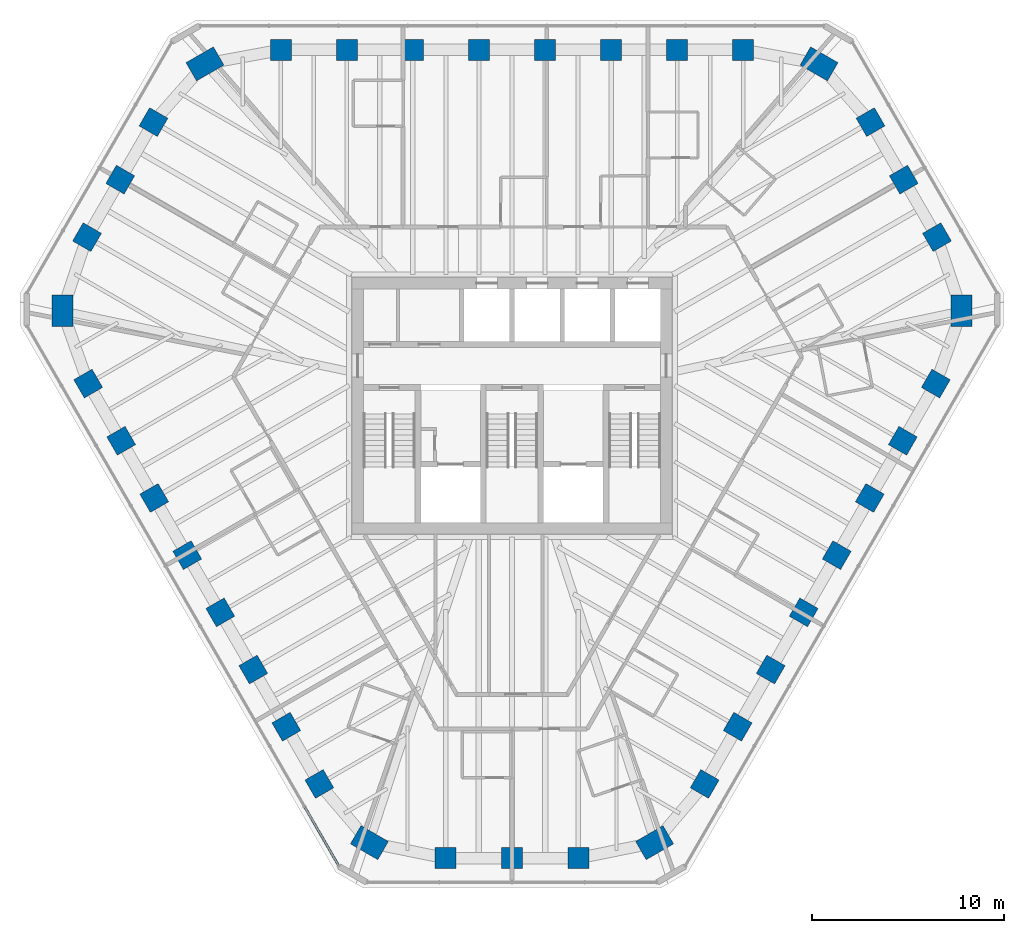
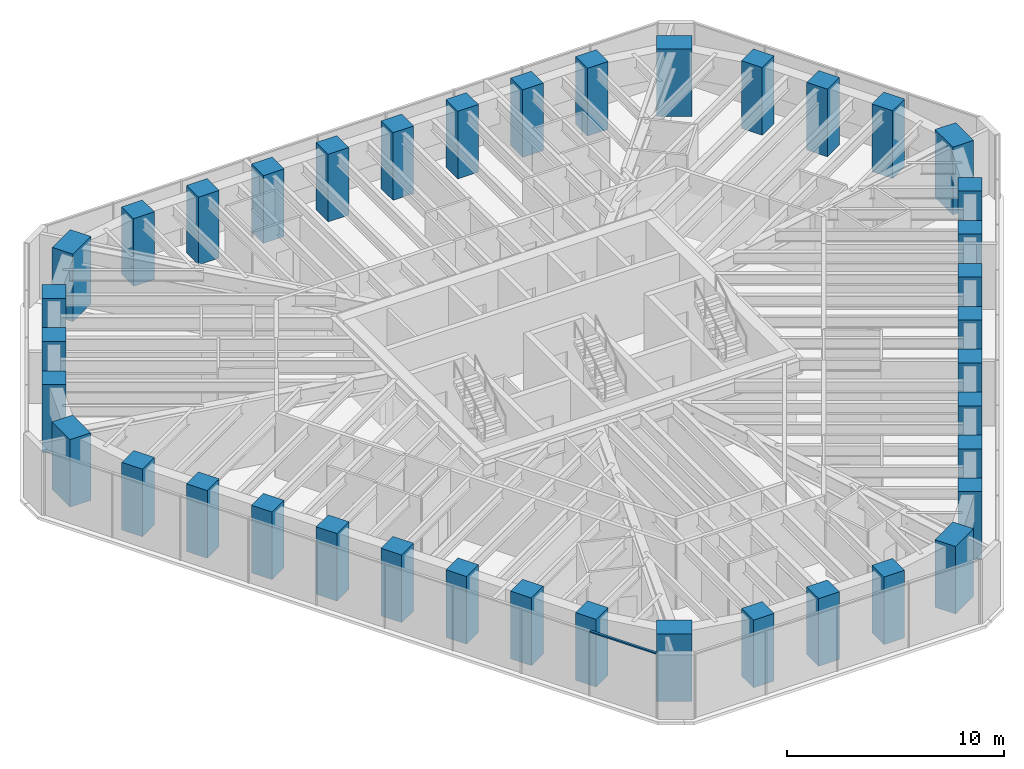
# One storey, part 1 of 14: 39 columns, 1 member, 1 element without a shape of its own.
"""IFC4 building model written with IfcOpenShell, lengths in metres."""

from ifc_helpers import new_model, si_unit, direction, frame, origin, origin_2d, place, context, subcontext, project, spatial, rectangle, extrude, material, material_profile, profile_set, type_object, element, aggregate, save


model = new_model("IFC4")

# Units and contexts
model_context = context("Model", 3, precision=1e-05, world=origin(), true_north=direction((0.0, 1.0)))
body_context = subcontext(model_context, "Body", "Model", "MODEL_VIEW")
ifc_project = project(units=[si_unit("LENGTHUNIT", "METRE"), si_unit("AREAUNIT", "SQUARE_METRE"), si_unit("VOLUMEUNIT", "CUBIC_METRE"), si_unit("PLANEANGLEUNIT", "RADIAN"), si_unit("MASSUNIT", "GRAM", prefix="KILO")], contexts=[model_context])

# Site, building, storey
site_placement = place(None, origin())
site = spatial("IfcSite", under=ifc_project, at=site_placement, CompositionType="ELEMENT")
building_placement = place(site_placement, origin())
building = spatial("IfcBuilding", under=site, at=building_placement, Name="Sandreach Pilgrim Tower", CompositionType="ELEMENT")
storey_placement = place(building_placement, frame((0.0, 0.0, 272.199951171875)))
storey = spatial("IfcBuildingStorey", under=building, at=storey_placement, Name="L68", CompositionType="ELEMENT", Elevation=272.199951171875)

# Columns
ifc_material_1 = material(Name="Concrete 10000 psi", Category="concrete")
ifc_material_profile_1 = material_profile(ifc_material_1, rectangle(XDim=1.10009765625, YDim=1.10009765625, at=origin_2d()), Name="RC1100X1100")
ifc_profile_set_1 = profile_set([ifc_material_profile_1], Name="Concrete 10000 psi")
column_type_1 = type_object("IfcColumnType", Name="Tube column RC1100X1100", PredefinedType="COLUMN", material=ifc_profile_set_1)
for number, where, z_axis, x_axis, name in (
    (1, (-12.0576171875, 18.56640625, 0.0), (0.0, 0.0, 1.0), (0.0, 1.0, 0.0), "COL L68 T01"),
    (2, (-8.612548828125, 18.56640625, 0.0), (0.0, 0.0, 1.0), (0.0, 1.0, 0.0), "COL L68 T02"),
    (3, (-5.16748046875, 18.56640625, 0.0), (0.0, 0.0, 1.0), (0.0, 1.0, 0.0), "COL L68 T03"),
    (4, (-1.722412109375, 18.56640625, 0.0), (0.0, 0.0, 1.0), (0.0, 1.0, 0.0), "COL L68 T04"),
    (5, (1.722412109375, 18.56640625, 0.0), (0.0, 0.0, 1.0), (0.0, 1.0, 0.0), "COL L68 T05"),
    (6, (5.16748046875, 18.56640625, 0.0), (0.0, 0.0, 1.0), (0.0, 1.0, 0.0), "COL L68 T06"),
    (7, (8.612548828125, 18.56640625, 0.0), (0.0, 0.0, 1.0), (0.0, 1.0, 0.0), "COL L68 T07"),
    (8, (12.0576171875, 18.56640625, 0.0), (0.0, 0.0, 1.0), (0.0, 1.0, 0.0), "COL L68 T08"),
    (9, (18.70361328125, 14.80029296875, 0.0), (0.0, 0.0, 1.0), (0.866025403784, 0.5, 0.0), "COL L68 T10"),
    (10, (20.4365234375, 11.799072265625, 0.0), (0.0, 0.0, 1.0), (0.866025403784, 0.5, 0.0), "COL L68 T11"),
    (11, (22.169189453125, 8.7978515625, 0.0), (0.0, 0.0, 1.0), (0.866025403784, 0.5, 0.0), "COL L68 T12"),
    (12, (22.10791015625, 1.158935546875, 0.0), (0.0, 0.0, 1.0), (0.866025403784, -0.5, 0.0), "COL L68 T14"),
    (13, (20.38525390625, -1.824462890625, 0.0), (0.0, 0.0, 1.0), (0.866025403784, -0.5, 0.0), "COL L68 T15"),
    (14, (18.662841796875, -4.80810546875, 0.0), (0.0, 0.0, 1.0), (0.866025403784, -0.5, 0.0), "COL L68 T16"),
    (15, (16.940185546875, -7.79150390625, 0.0), (0.0, 0.0, 1.0), (0.866025403784, -0.5, 0.0), "COL L68 T17"),
    (16, (15.2177734375, -10.77490234375, 0.0), (0.0, 0.0, 1.0), (0.866025403784, -0.5, 0.0), "COL L68 T18"),
    (17, (13.4951171875, -13.758544921875, 0.0), (0.0, 0.0, 1.0), (0.866025403784, -0.5, 0.0), "COL L68 T19"),
    (18, (11.772705078125, -16.741943359375, 0.0), (0.0, 0.0, 1.0), (0.866025403784, -0.5, 0.0), "COL L68 T20"),
    (19, (10.05029296875, -19.725341796875, 0.0), (0.0, 0.0, 1.0), (0.866025403784, -0.5, 0.0), "COL L68 T21"),
    (20, (3.465576171875, -23.59814453125, 0.0), (0.0, 0.0, 1.0), (0.0, -1.0, 0.0), "COL L68 T23"),
    (21, (0.0, -23.59814453125, 0.0), (0.0, 0.0, 1.0), (0.0, -1.0, 0.0), "COL L68 T24"),
    (22, (-3.465576171875, -23.59814453125, 0.0), (0.0, 0.0, 1.0), (0.0, -1.0, 0.0), "COL L68 T25"),
    (23, (-10.05029296875, -19.725341796875, 0.0), (0.0, 0.0, 1.0), (-0.866025403784, -0.5, 0.0), "COL L68 T27"),
    (24, (-11.772705078125, -16.741943359375, 0.0), (0.0, 0.0, 1.0), (-0.866025403784, -0.5, 0.0), "COL L68 T28"),
    (25, (-13.4951171875, -13.758544921875, 0.0), (0.0, 0.0, 1.0), (-0.866025403784, -0.5, 0.0), "COL L68 T29"),
    (26, (-15.2177734375, -10.77490234375, 0.0), (0.0, 0.0, 1.0), (-0.866025403784, -0.5, 0.0), "COL L68 T30"),
    (27, (-16.940185546875, -7.79150390625, 0.0), (0.0, 0.0, 1.0), (-0.866025403784, -0.5, 0.0), "COL L68 T31"),
    (28, (-18.662841796875, -4.80810546875, 0.0), (0.0, 0.0, 1.0), (-0.866025403784, -0.5, 0.0), "COL L68 T32"),
    (29, (-20.38525390625, -1.824462890625, 0.0), (0.0, 0.0, 1.0), (-0.866025403784, -0.5, 0.0), "COL L68 T33"),
    (30, (-22.10791015625, 1.158935546875, 0.0), (0.0, 0.0, 1.0), (-0.866025403784, -0.5, 0.0), "COL L68 T34"),
    (31, (-22.169189453125, 8.7978515625, 0.0), (0.0, 0.0, 1.0), (-0.866025403784, 0.5, 0.0), "COL L68 T36"),
    (32, (-20.4365234375, 11.799072265625, 0.0), (0.0, 0.0, 1.0), (-0.866025403784, 0.5, 0.0), "COL L68 T37"),
    (33, (-18.70361328125, 14.80029296875, 0.0), (0.0, 0.0, 1.0), (-0.866025403784, 0.5, 0.0), "COL L68 T38"),
):
    element("IfcColumn", number, at=place(storey_placement, frame(where, z_axis=z_axis, x_axis=x_axis)), inside=storey, type_object=column_type_1, Name=name, PredefinedType="COLUMN", context=body_context, shape_type="SweptSolid", body=[
        extrude(rectangle(XDim=1.10009765625, YDim=1.10009765625, at=origin_2d()), origin(), (0.0, 0.0, 1.0), 3.800048828125),
    ])
ifc_material_2 = material(Name="Concrete 10000 psi", Category="concrete")
ifc_material_profile_2 = material_profile(ifc_material_2, rectangle(XDim=1.10009765625, YDim=1.64990234375, at=origin_2d()), Name="RC1100X1650")
ifc_profile_set_2 = profile_set([ifc_material_profile_2], Name="Concrete 10000 psi")
column_type_2 = type_object("IfcColumnType", Name="Tube corner pier RC1100X1650", PredefinedType="COLUMN", material=ifc_profile_set_2)
for number, where, z_axis, x_axis, name in (
    (34, (16.0166015625, 17.837158203125, 0.0), (0.0, 0.0, 1.0), (0.5, 0.866025403784, 0.0), "COL L68 T09"),
    (35, (23.455810546875, 4.952392578125, 0.0), (0.0, 0.0, 1.0), (1.0, 0.0, 0.0), "COL L68 T13"),
    (36, (7.439208984375, -22.78955078125, 0.0), (0.0, 0.0, 1.0), (0.5, -0.866025403784, 0.0), "COL L68 T22"),
    (37, (-7.439208984375, -22.78955078125, 0.0), (0.0, 0.0, 1.0), (-0.5, -0.866025403784, 0.0), "COL L68 T26"),
    (38, (-23.455810546875, 4.952392578125, 0.0), (0.0, 0.0, 1.0), (-1.0, 0.0, 0.0), "COL L68 T35"),
    (39, (-16.0166015625, 17.837158203125, 0.0), (0.0, 0.0, 1.0), (-0.5, 0.866025403784, 0.0), "COL L68 T39"),
):
    element("IfcColumn", number, at=place(storey_placement, frame(where, z_axis=z_axis, x_axis=x_axis)), inside=storey, type_object=column_type_2, Name=name, PredefinedType="COLUMN", context=body_context, shape_type="SweptSolid", body=[
        extrude(rectangle(XDim=1.10009765625, YDim=1.64990234375, at=origin_2d()), origin(), (0.0, 0.0, 1.0), 3.800048828125),
    ])

# Curtain wall, member
ifc_material_3 = material(Name="Aluminium framed curtain wall", Category="aluminium")
curtain_wall_type = type_object("IfcCurtainWallType", Name="Suite tower curtain wall", PredefinedType="NOTDEFINED", material=ifc_material_3)
curtain_wall_placement = place(storey_placement, origin())
curtain_wall = element("IfcCurtainWall", 40, at=curtain_wall_placement, inside=storey, type_object=curtain_wall_type, Name="CW-4 L68 SW", PredefinedType="NOTDEFINED")
ifc_material_4 = material(Name="Aluminium extrusion", Category="aluminium")
ifc_material_profile_3 = material_profile(ifc_material_4, rectangle(XDim=0.1201171875, YDim=0.070068359375, at=origin_2d()), Name="CW-4T 120X70")
ifc_profile_set_3 = profile_set([ifc_material_profile_3], Name="Aluminium extrusion")
member_type = type_object("IfcMemberType", Name="CW-4 transom", PredefinedType="USERDEFINED", material=ifc_profile_set_3)
member_placement = place(storey_placement, frame((-9.051025390625, -23.97607421875, 3.60498046875), z_axis=(-0.499997709859, 0.866026725994, 0.0), x_axis=(-0.866026725994, -0.499997709859, 0.0)))
member = element("IfcMember", 41, at=member_placement, type_object=member_type, Name="CW-4 head transom 1", ObjectType="TRANSOM", PredefinedType="USERDEFINED", context=body_context, shape_type="SweptSolid", body=[
    extrude(rectangle(XDim=0.1201171875, YDim=0.070068359375, at=origin_2d()), origin(), (0.0, 0.0, 1.0), 3.53173828125),
])
aggregate(curtain_wall, [member])

save(model, "model.ifc")
